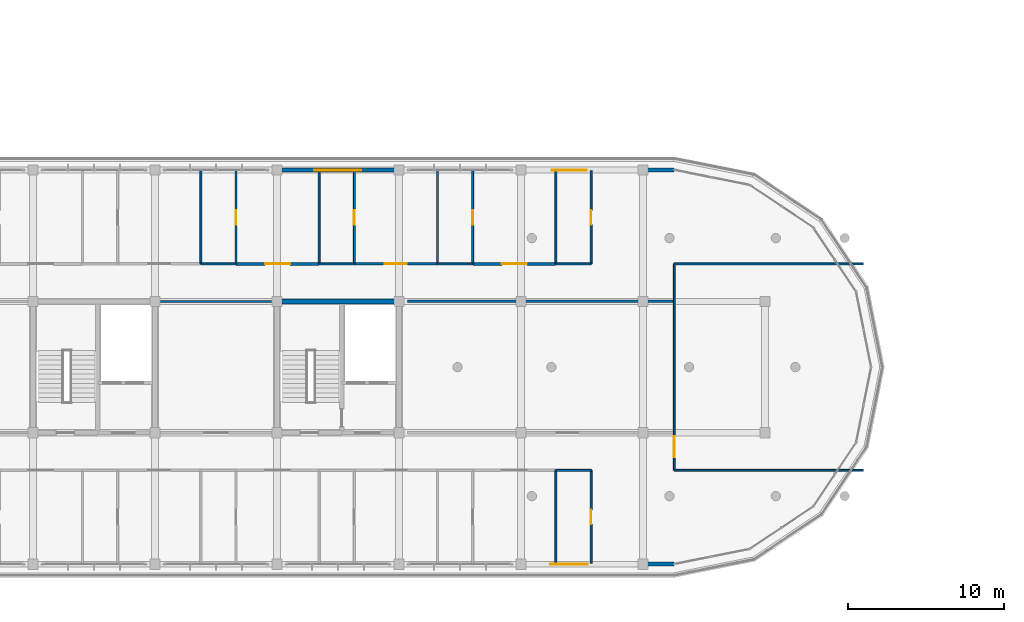
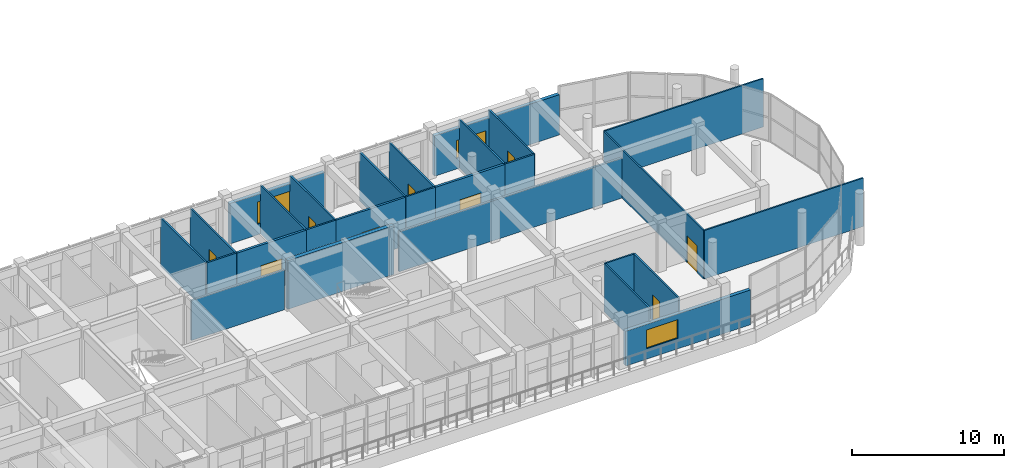
# One storey, part 54 of 63: 27 walls, 9 doors, 3 windows, 12 openings.
"""IFC4 building model written with IfcOpenShell, lengths in metres."""

from ifc_helpers import new_model, si_unit, direction, frame, frame_2d, origin, place, context, subcontext, project, spatial, rectangle, extrude, material, layer, layer_set, type_object, element, fill, save


model = new_model("IFC4")

# Units and contexts
model_context = context("Model", 3, precision=1e-05, world=origin(), true_north=direction((0.0, 1.0)))
body_context = subcontext(model_context, "Body", "Model", "MODEL_VIEW")
ifc_project = project(units=[si_unit("LENGTHUNIT", "METRE"), si_unit("AREAUNIT", "SQUARE_METRE"), si_unit("VOLUMEUNIT", "CUBIC_METRE"), si_unit("PLANEANGLEUNIT", "RADIAN"), si_unit("MASSUNIT", "GRAM", prefix="KILO")], contexts=[model_context])

# Site, building, storey
site_placement = place(None, origin())
site = spatial("IfcSite", under=ifc_project, at=site_placement, CompositionType="ELEMENT")
building_placement = place(site_placement, origin())
building = spatial("IfcBuilding", under=site, at=building_placement, Name="Zizhar Promenade General Hospital", CompositionType="ELEMENT")
storey_placement = place(building_placement, frame((0.0, 0.0, 18.0)))
storey = spatial("IfcBuildingStorey", under=building, at=storey_placement, Name="L04", CompositionType="ELEMENT", Elevation=18.0)

# Wall, opening, window
ifc_material_1 = material(Name="Precast concrete C40/50", Category="concrete")
ifc_layer_1 = layer(ifc_material_1, 0.260009765625)
ifc_layer_set_1 = layer_set([ifc_layer_1], Name="Precast concrete C40/50")
wall_type_1 = type_object("IfcWallType", Name="EW-PC-260", PredefinedType="STANDARD", material=ifc_layer_set_1)
wall_1_placement = place(storey_placement, frame((93.889892578125, 25.199951171875, 0.0), z_axis=(0.0, 0.0, 1.0), x_axis=(1.0, 0.0, 0.0)))
wall_1 = element("IfcWall", 1, at=wall_1_placement, inside=storey, type_object=wall_type_1, Name="Ward Precast Ribbon Pier L04-8-9", PredefinedType="STANDARD", context=body_context, shape_type="SweptSolid", body=[
    extrude(rectangle(XDim=7.22021484375, YDim=0.260009765625, at=frame_2d((3.610107421875, 0.0))), origin(), (0.0, 0.0, 1.0), 3.2548828125),
])
opening_1_placement = place(wall_1_placement, frame((2.110107421875, 0.0, 0.85009765625)))
opening_1 = element("IfcOpeningElement", 2, at=opening_1_placement, cuts=wall_1, Name="Opening W-16", PredefinedType="OPENING", context=body_context, shape_type="SweptSolid", body=[
    extrude(rectangle(XDim=3.0, YDim=1.800048828125, at=frame_2d((1.5, 0.89990234375))), frame((0.0, 0.14013671875, 0.0), z_axis=(0.0, -1.0, 0.0), x_axis=(1.0, 0.0, 0.0)), (0.0, 0.0, 1.0), 0.280029296875),
])
ifc_material_2 = material(Name="Anodised aluminium 6063-T6 and low-E glass", Category="aluminium")
window_type_1 = type_object("IfcWindowType", Name="WIN-LOUNGE-300x180", PartitioningType="TRIPLE_PANEL_VERTICAL", PredefinedType="WINDOW", material=ifc_material_2)
window_1_placement = place(opening_1_placement, origin())
window_1 = element("IfcWindow", 3, at=window_1_placement, inside=storey, type_object=window_type_1, Name="Ward Precast Ribbon Pier L04-8-9 Window 1", OverallHeight=1.800048828125, OverallWidth=3.0, PartitioningType="SINGLE_PANEL", PredefinedType="WINDOW", context=body_context, shape_type="SweptSolid", body=[
    extrude(rectangle(XDim=3.0, YDim=1.800048828125, at=frame_2d((1.5, 0.89990234375))), frame((0.0, 0.030029296875, 0.0), z_axis=(0.0, -1.0, 0.0), x_axis=(1.0, 0.0, 0.0)), (0.0, 0.0, 1.0), 0.06005859375),
])
fill(opening_1, window_1)

wall_2_placement = place(storey_placement, frame((109.489990234375, 25.199951171875, 0.0), z_axis=(0.0, 0.0, 1.0), x_axis=(1.0, 0.0, 0.0)))
wall_2 = element("IfcWall", 4, at=wall_2_placement, inside=storey, type_object=wall_type_1, Name="Ward Precast Ribbon Pier L04-8-11", PredefinedType="STANDARD", context=body_context, shape_type="SweptSolid", body=[
    extrude(rectangle(XDim=9.510009765625, YDim=0.260009765625, at=frame_2d((4.7548828125, 0.0))), origin(), (0.0, 0.0, 1.0), 3.2548828125),
])
opening_2_placement = place(wall_2_placement, frame((1.669921875, 0.0, 0.85009765625)))
opening_2 = element("IfcOpeningElement", 5, at=opening_2_placement, cuts=wall_2, Name="Opening W-28", PredefinedType="OPENING", context=body_context, shape_type="SweptSolid", body=[
    extrude(rectangle(XDim=2.25, YDim=1.449951171875, at=frame_2d((1.125, 0.72509765625))), frame((0.0, 0.14013671875, 0.0), z_axis=(0.0, -1.0, 0.0), x_axis=(1.0, 0.0, 0.0)), (0.0, 0.0, 1.0), 0.280029296875),
])
ifc_material_3 = material(Name="Anodised aluminium 6063-T6 and low-E glass", Category="aluminium")
window_type_2 = type_object("IfcWindowType", Name="WIN-WARD-225x145", PartitioningType="DOUBLE_PANEL_VERTICAL", PredefinedType="WINDOW", material=ifc_material_3)
window_2_placement = place(opening_2_placement, origin())
window_2 = element("IfcWindow", 6, at=window_2_placement, inside=storey, type_object=window_type_2, Name="Ward Precast Ribbon Pier L04-8-11 Window 1", OverallHeight=1.449951171875, OverallWidth=2.25, PartitioningType="SINGLE_PANEL", PredefinedType="WINDOW", context=body_context, shape_type="SweptSolid", body=[
    extrude(rectangle(XDim=2.25, YDim=1.449951171875, at=frame_2d((1.125, 0.72509765625))), frame((0.0, 0.030029296875, 0.0), z_axis=(0.0, -1.0, 0.0), x_axis=(1.0, 0.0, 0.0)), (0.0, 0.0, 1.0), 0.06005859375),
])
fill(opening_2, window_2)

wall_3_placement = place(storey_placement, frame((119.0, 0.0, 0.0), z_axis=(0.0, 0.0, 1.0), x_axis=(-1.0, 0.0, 0.0)))
wall_3 = element("IfcWall", 7, at=wall_3_placement, inside=storey, type_object=wall_type_1, Name="Ward Precast Ribbon Pier L04-17-0", PredefinedType="STANDARD", context=body_context, shape_type="SweptSolid", body=[
    extrude(rectangle(XDim=9.510009765625, YDim=0.260009765625, at=frame_2d((4.7548828125, 0.0))), origin(), (0.0, 0.0, 1.0), 2.804931640625),
])
opening_3_placement = place(wall_3_placement, frame((5.5400390625, 0.0, 0.85009765625)))
opening_3 = element("IfcOpeningElement", 8, at=opening_3_placement, cuts=wall_3, Name="Opening W-01", PredefinedType="OPENING", context=body_context, shape_type="SweptSolid", body=[
    extrude(rectangle(XDim=2.39990234375, YDim=1.5, at=frame_2d((1.199951171875, 0.75))), frame((0.0, 0.14013671875, 0.0), z_axis=(0.0, -1.0, 0.0), x_axis=(1.0, 0.0, 0.0)), (0.0, 0.0, 1.0), 0.280029296875),
])
ifc_material_4 = material(Name="Anodised aluminium 6063-T6 and low-E glass", Category="aluminium")
window_type_3 = type_object("IfcWindowType", Name="WIN-WARD-240x150", PartitioningType="DOUBLE_PANEL_VERTICAL", PredefinedType="WINDOW", material=ifc_material_4)
window_3_placement = place(opening_3_placement, origin())
window_3 = element("IfcWindow", 9, at=window_3_placement, inside=storey, type_object=window_type_3, Name="Ward Precast Ribbon Pier L04-17-0 Window 2", OverallHeight=1.5, OverallWidth=2.39990234375, PartitioningType="SINGLE_PANEL", PredefinedType="WINDOW", context=body_context, shape_type="SweptSolid", body=[
    extrude(rectangle(XDim=2.39990234375, YDim=1.5, at=frame_2d((1.199951171875, 0.75))), frame((0.0, 0.030029296875, 0.0), z_axis=(0.0, -1.0, 0.0), x_axis=(1.0, 0.0, 0.0)), (0.0, 0.0, 1.0), 0.06005859375),
])
fill(opening_3, window_3)

# Wall
ifc_material_5 = material(Name="Clinical consultation partition")
ifc_layer_2 = layer(ifc_material_5, 0.14501953125)
ifc_layer_set_2 = layer_set([ifc_layer_2], Name="Clinical consultation partition")
wall_type_2 = type_object("IfcWallType", Name="IW-CLN-145", PredefinedType="PARTITIONING", material=ifc_layer_set_2)
wall_4_placement = place(storey_placement, frame((86.159912109375, 16.800048828125, 0.0), z_axis=(0.0, 0.0, 1.0), x_axis=(1.0, 0.0, 0.0)))
element("IfcWall", 10, at=wall_4_placement, inside=storey, type_object=wall_type_2, Name="Accessible Visitor Lounge and Clean Utility L04 N Partition", PredefinedType="PARTITIONING", context=body_context, shape_type="SweptSolid", body=[
    extrude(rectangle(XDim=7.080078125, YDim=0.14501953125, at=frame_2d((3.5400390625, 0.0))), origin(), (0.0, 0.0, 1.0), 3.219970703125),
])

# Wall, opening, door
ifc_material_6 = material(Name="Acoustic double-stud clinical partition")
ifc_layer_3 = layer(ifc_material_6, 0.179931640625)
ifc_layer_set_3 = layer_set([ifc_layer_3], Name="Acoustic double-stud clinical partition")
wall_type_3 = type_object("IfcWallType", Name="IW-ICU-180", PredefinedType="PARTITIONING", material=ifc_layer_set_3)
wall_5_placement = place(storey_placement, frame((90.992919921875, 19.199951171875, 0.0), z_axis=(0.0, 0.0, 1.0), x_axis=(1.0, 0.0, 0.0)))
wall_5 = element("IfcWall", 11, at=wall_5_placement, inside=storey, type_object=wall_type_3, Name="Intensive Care Step-Down L04-N09 S Partition", PredefinedType="PARTITIONING", context=body_context, shape_type="SweptSolid", body=[
    extrude(rectangle(XDim=5.297119140625, YDim=0.179931640625, at=frame_2d((2.6484375, 0.0))), origin(), (0.0, 0.0, 1.0), 3.89990234375),
])
opening_4_placement = place(wall_5_placement, frame((1.848388671875, 0.0, 0.0)))
opening_4 = element("IfcOpeningElement", 12, at=opening_4_placement, cuts=wall_5, Name="Opening D-05", PredefinedType="OPENING", context=body_context, shape_type="SweptSolid", body=[
    extrude(rectangle(XDim=1.60009765625, YDim=2.25, at=frame_2d((0.800048828125, 1.125))), frame((0.0, 0.10009765625, 0.0), z_axis=(0.0, -1.0, 0.0), x_axis=(1.0, 0.0, 0.0)), (0.0, 0.0, 1.0), 0.199951171875),
])
ifc_material_7 = material(Name="Anodised aluminium and clinical glass", Category="aluminium")
door_type_1 = type_object("IfcDoorType", Name="DR-ICU-GLZ-160x225", OperationType="SLIDING_TO_RIGHT", PredefinedType="DOOR", material=ifc_material_7)
door_1_placement = place(opening_4_placement, origin())
door_1 = element("IfcDoor", 13, at=door_1_placement, inside=storey, type_object=door_type_1, Name="Intensive Care Step-Down L04-N09 Door", OperationType="SLIDING_TO_RIGHT", OverallHeight=2.25, OverallWidth=1.60009765625, PredefinedType="DOOR", context=body_context, shape_type="SweptSolid", body=[
    extrude(rectangle(XDim=1.60009765625, YDim=2.25, at=frame_2d((0.800048828125, 1.125))), frame((0.0, 0.02490234375, 0.0), z_axis=(0.0, -1.0, 0.0), x_axis=(1.0, 0.0, 0.0)), (0.0, 0.0, 1.0), 0.050048828125),
])
fill(opening_4, door_1)

wall_6_placement = place(storey_placement, frame((106.126953125, 19.199951171875, 0.0), z_axis=(0.0, 0.0, 1.0), x_axis=(1.0, 0.0, 0.0)))
wall_6 = element("IfcWall", 14, at=wall_6_placement, inside=storey, type_object=wall_type_3, Name="Intensive Care Step-Down L04-N11 S Partition", PredefinedType="PARTITIONING", context=body_context, shape_type="SweptSolid", body=[
    extrude(rectangle(XDim=5.296142578125, YDim=0.179931640625, at=frame_2d((2.64794921875, 0.0))), origin(), (0.0, 0.0, 1.0), 3.89990234375),
])
opening_5_placement = place(wall_6_placement, frame((1.847900390625, 0.0, 0.0)))
opening_5 = element("IfcOpeningElement", 15, at=opening_5_placement, cuts=wall_6, Name="Opening D-05", PredefinedType="OPENING", context=body_context, shape_type="SweptSolid", body=[
    extrude(rectangle(XDim=1.60009765625, YDim=2.25, at=frame_2d((0.800048828125, 1.125))), frame((0.0, 0.10009765625, 0.0), z_axis=(0.0, -1.0, 0.0), x_axis=(1.0, 0.0, 0.0)), (0.0, 0.0, 1.0), 0.199951171875),
])
door_2_placement = place(opening_5_placement, origin())
door_2 = element("IfcDoor", 16, at=door_2_placement, inside=storey, type_object=door_type_1, Name="Intensive Care Step-Down L04-N11 Door", OperationType="SLIDING_TO_RIGHT", OverallHeight=2.25, OverallWidth=1.60009765625, PredefinedType="DOOR", context=body_context, shape_type="SweptSolid", body=[
    extrude(rectangle(XDim=1.60009765625, YDim=2.25, at=frame_2d((0.800048828125, 1.125))), frame((0.0, 0.02490234375, 0.0), z_axis=(0.0, -1.0, 0.0), x_axis=(1.0, 0.0, 0.0)), (0.0, 0.0, 1.0), 0.050048828125),
])
fill(opening_5, door_2)

# Walls
ifc_material_8 = material(Name="Clean utility gypsum partition")
ifc_layer_4 = layer(ifc_material_8, 0.114990234375)
ifc_layer_set_4 = layer_set([ifc_layer_4], Name="Clean utility gypsum partition")
wall_type_4 = type_object("IfcWallType", Name="IW-STR-115", PredefinedType="PARTITIONING", material=ifc_layer_set_4)
for number, where, z_axis, x_axis, name in (
    (17, (119.0, 6.0, 0.0), (0.0, 0.0, 1.0), (1.0, 0.0, 0.0), "East Patient Recovery Solarium L04 S Partition"),
    (18, (119.0, 19.199951171875, 0.0), (0.0, 0.0, 1.0), (1.0, 0.0, 0.0), "East Patient Recovery Solarium L04 N Partition"),
):
    element("IfcWall", number, at=place(storey_placement, frame(where, z_axis=z_axis, x_axis=x_axis)), inside=storey, type_object=wall_type_4, Name=name, PredefinedType="PARTITIONING", context=body_context, shape_type="SweptSolid", body=[
        extrude(rectangle(XDim=12.10009765625, YDim=0.114990234375, at=frame_2d((6.050048828125, 0.0))), origin(), (0.0, 0.0, 1.0), 3.89990234375),
    ])

# Wall, opening, door
wall_7_placement = place(storey_placement, frame((119.0, 6.0, 0.0), z_axis=(0.0, 0.0, 1.0), x_axis=(0.0, 1.0, 0.0)))
wall_7 = element("IfcWall", 19, at=wall_7_placement, inside=storey, type_object=wall_type_4, Name="East Patient Recovery Solarium L04 W Partition", PredefinedType="PARTITIONING", context=body_context, shape_type="SweptSolid", body=[
    extrude(rectangle(XDim=13.199951171875, YDim=0.114990234375, at=frame_2d((6.60009765625, 0.0))), origin(), (0.0, 0.0, 1.0), 3.89990234375),
])
opening_6_placement = place(wall_7_placement, frame((0.85009765625, 0.0, 0.0)))
opening_6 = element("IfcOpeningElement", 20, at=opening_6_placement, cuts=wall_7, Name="Opening D-26", PredefinedType="OPENING", context=body_context, shape_type="SweptSolid", body=[
    extrude(rectangle(XDim=1.320068359375, YDim=2.14990234375, at=frame_2d((0.66015625, 1.074951171875))), frame((0.0, 0.0673828125, 0.0), z_axis=(0.0, -1.0, 0.0), x_axis=(1.0, 0.0, 0.0)), (0.0, 0.0, 1.0), 0.135009765625),
])
ifc_material_9 = material(Name="Fire-rated timber store leaf", Category="wood")
door_type_2 = type_object("IfcDoorType", Name="DR-STORE-132x215", OperationType="NOTDEFINED", PredefinedType="DOOR", material=ifc_material_9)
door_3_placement = place(opening_6_placement, origin())
door_3 = element("IfcDoor", 21, at=door_3_placement, inside=storey, type_object=door_type_2, Name="East Patient Recovery Solarium L04 Door", OperationType="SINGLE_SWING_LEFT", OverallHeight=2.14990234375, OverallWidth=1.320068359375, PredefinedType="DOOR", context=body_context, shape_type="SweptSolid", body=[
    extrude(rectangle(XDim=1.320068359375, YDim=2.14990234375, at=frame_2d((0.66015625, 1.074951171875))), frame((0.0, 0.02490234375, 0.0), z_axis=(0.0, -1.0, 0.0), x_axis=(1.0, 0.0, 0.0)), (0.0, 0.0, 1.0), 0.050048828125),
])
fill(opening_6, door_3)

ifc_material_10 = material(Name="Acoustic patient bedroom partition")
ifc_layer_5 = layer(ifc_material_10, 0.155029296875)
ifc_layer_set_5 = layer_set([ifc_layer_5], Name="Acoustic patient bedroom partition")
wall_type_5 = type_object("IfcWallType", Name="IW-WARD-155", PredefinedType="PARTITIONING", material=ifc_layer_set_5)
wall_8_placement = place(storey_placement, frame((98.56005859375, 19.199951171875, 0.0), z_axis=(0.0, 0.0, 1.0), x_axis=(1.0, 0.0, 0.0)))
wall_8 = element("IfcWall", 22, at=wall_8_placement, inside=storey, type_object=wall_type_5, Name="Acute Medical Inpatient Ward L04-N10 S Partition", PredefinedType="PARTITIONING", context=body_context, shape_type="SweptSolid", body=[
    extrude(rectangle(XDim=5.296875, YDim=0.155029296875, at=frame_2d((2.6484375, 0.0))), origin(), (0.0, 0.0, 1.0), 3.89990234375),
])
opening_7_placement = place(wall_8_placement, frame((1.948486328125, 0.0, 0.0)))
opening_7 = element("IfcOpeningElement", 23, at=opening_7_placement, cuts=wall_8, Name="Opening D-06", PredefinedType="OPENING", context=body_context, shape_type="SweptSolid", body=[
    extrude(rectangle(XDim=1.39990234375, YDim=2.199951171875, at=frame_2d((0.699951171875, 1.10009765625))), frame((0.0, 0.08740234375, 0.0), z_axis=(0.0, -1.0, 0.0), x_axis=(1.0, 0.0, 0.0)), (0.0, 0.0, 1.0), 0.175048828125),
])
ifc_material_11 = material(Name="Fire-rated timber hospital bed leaf", Category="wood")
door_type_3 = type_object("IfcDoorType", Name="DR-BED-WARD-140x220", OperationType="NOTDEFINED", PredefinedType="DOOR", material=ifc_material_11)
door_4_placement = place(opening_7_placement, origin())
door_4 = element("IfcDoor", 24, at=door_4_placement, inside=storey, type_object=door_type_3, Name="Acute Medical Inpatient Ward L04-N10 Door", OperationType="SINGLE_SWING_LEFT", OverallHeight=2.199951171875, OverallWidth=1.39990234375, PredefinedType="DOOR", context=body_context, shape_type="SweptSolid", body=[
    extrude(rectangle(XDim=1.39990234375, YDim=2.199951171875, at=frame_2d((0.699951171875, 1.10009765625))), frame((0.0, 0.02490234375, 0.0), z_axis=(0.0, -1.0, 0.0), x_axis=(1.0, 0.0, 0.0)), (0.0, 0.0, 1.0), 0.050048828125),
])
fill(opening_7, door_4)

# Walls
wall_9_placement = place(storey_placement, frame((101.9599609375, 16.800048828125, 0.0), z_axis=(0.0, 0.0, 1.0), x_axis=(1.0, 0.0, 0.0)))
element("IfcWall", 25, at=wall_9_placement, inside=storey, type_object=wall_type_5, Name="Ward Doctor Consultation Office L04 N Partition", PredefinedType="PARTITIONING", context=body_context, shape_type="SweptSolid", body=[
    extrude(rectangle(XDim=17.030029296875, YDim=0.155029296875, at=frame_2d((8.51513671875, 0.0))), origin(), (0.0, 0.0, 1.0), 3.219970703125),
])
ifc_material_12 = material(Name="Moisture-resistant en-suite wet partition")
ifc_layer_6 = layer(ifc_material_12, 0.125)
ifc_layer_set_6 = layer_set([ifc_layer_6], Name="Moisture-resistant en-suite wet partition")
wall_type_6 = type_object("IfcWallType", Name="IW-WET-125", PredefinedType="PARTITIONING", material=ifc_layer_set_6)
wall_10_placement = place(storey_placement, frame((88.7333984375, 19.199951171875, 0.0), z_axis=(0.0, 0.0, 1.0), x_axis=(1.0, 0.0, 0.0)))
element("IfcWall", 26, at=wall_10_placement, inside=storey, type_object=wall_type_6, Name="En-Suite Patient Bathroom L04-N09 S Partition", PredefinedType="PARTITIONING", context=body_context, shape_type="SweptSolid", body=[
    extrude(rectangle(XDim=2.25, YDim=0.125, at=frame_2d((1.125, 0.0))), origin(), (0.0, 0.0, 1.0), 3.89990234375),
])
wall_11_placement = place(storey_placement, frame((88.7333984375, 19.199951171875, 0.0), z_axis=(0.0, 0.0, 1.0), x_axis=(0.0, 1.0, 0.0)))
element("IfcWall", 27, at=wall_11_placement, inside=storey, type_object=wall_type_6, Name="En-Suite Patient Bathroom L04-N09 W Partition", PredefinedType="PARTITIONING", context=body_context, shape_type="SweptSolid", body=[
    extrude(rectangle(XDim=5.955078125, YDim=0.125, at=frame_2d((2.9775390625, 0.0))), origin(), (0.0, 0.0, 1.0), 3.89990234375),
])

# Wall, opening, door
wall_12_placement = place(storey_placement, frame((90.9833984375, 19.199951171875, 0.0), z_axis=(0.0, 0.0, 1.0), x_axis=(0.0, 1.0, 0.0)))
wall_12 = element("IfcWall", 28, at=wall_12_placement, inside=storey, type_object=wall_type_6, Name="En-Suite Patient Bathroom L04-N09 E Partition", PredefinedType="PARTITIONING", context=body_context, shape_type="SweptSolid", body=[
    extrude(rectangle(XDim=5.955078125, YDim=0.125, at=frame_2d((2.9775390625, 0.0))), origin(), (0.0, 0.0, 1.0), 3.89990234375),
])
opening_8_placement = place(wall_12_placement, frame((2.517578125, 0.0, 0.0)))
opening_8 = element("IfcOpeningElement", 29, at=opening_8_placement, cuts=wall_12, Name="Opening D-18", PredefinedType="OPENING", context=body_context, shape_type="SweptSolid", body=[
    extrude(rectangle(XDim=0.919921875, YDim=2.10009765625, at=frame_2d((0.4599609375, 1.050048828125))), frame((0.0, 0.072509765625, 0.0), z_axis=(0.0, -1.0, 0.0), x_axis=(1.0, 0.0, 0.0)), (0.0, 0.0, 1.0), 0.14501953125),
])
ifc_material_13 = material(Name="Moisture-resistant timber en-suite leaf", Category="wood")
door_type_4 = type_object("IfcDoorType", Name="DR-ENS-STD-092x210", OperationType="NOTDEFINED", PredefinedType="DOOR", material=ifc_material_13)
door_5_placement = place(opening_8_placement, origin())
door_5 = element("IfcDoor", 30, at=door_5_placement, inside=storey, type_object=door_type_4, Name="En-Suite Patient Bathroom L04-N09 Door", OperationType="SINGLE_SWING_LEFT", OverallHeight=2.10009765625, OverallWidth=0.919921875, PredefinedType="DOOR", context=body_context, shape_type="SweptSolid", body=[
    extrude(rectangle(XDim=0.919921875, YDim=2.10009765625, at=frame_2d((0.4599609375, 1.050048828125))), frame((0.0, 0.02490234375, 0.0), z_axis=(0.0, -1.0, 0.0), x_axis=(1.0, 0.0, 0.0)), (0.0, 0.0, 1.0), 0.050048828125),
])
fill(opening_8, door_5)

# Walls
wall_13_placement = place(storey_placement, frame((96.300048828125, 19.199951171875, 0.0), z_axis=(0.0, 0.0, 1.0), x_axis=(1.0, 0.0, 0.0)))
element("IfcWall", 31, at=wall_13_placement, inside=storey, type_object=wall_type_6, Name="En-Suite Patient Bathroom L04-N10 S Partition", PredefinedType="PARTITIONING", context=body_context, shape_type="SweptSolid", body=[
    extrude(rectangle(XDim=2.25, YDim=0.125, at=frame_2d((1.125, 0.0))), origin(), (0.0, 0.0, 1.0), 3.89990234375),
])
wall_14_placement = place(storey_placement, frame((96.300048828125, 19.199951171875, 0.0), z_axis=(0.0, 0.0, 1.0), x_axis=(0.0, 1.0, 0.0)))
element("IfcWall", 32, at=wall_14_placement, inside=storey, type_object=wall_type_6, Name="En-Suite Patient Bathroom L04-N10 W Partition", PredefinedType="PARTITIONING", context=body_context, shape_type="SweptSolid", body=[
    extrude(rectangle(XDim=5.955078125, YDim=0.125, at=frame_2d((2.9775390625, 0.0))), origin(), (0.0, 0.0, 1.0), 3.89990234375),
])

# Wall, opening, door
wall_15_placement = place(storey_placement, frame((98.550048828125, 19.199951171875, 0.0), z_axis=(0.0, 0.0, 1.0), x_axis=(0.0, 1.0, 0.0)))
wall_15 = element("IfcWall", 33, at=wall_15_placement, inside=storey, type_object=wall_type_6, Name="En-Suite Patient Bathroom L04-N10 E Partition", PredefinedType="PARTITIONING", context=body_context, shape_type="SweptSolid", body=[
    extrude(rectangle(XDim=5.955078125, YDim=0.125, at=frame_2d((2.9775390625, 0.0))), origin(), (0.0, 0.0, 1.0), 3.89990234375),
])
opening_9_placement = place(wall_15_placement, frame((2.517578125, 0.0, 0.0)))
opening_9 = element("IfcOpeningElement", 34, at=opening_9_placement, cuts=wall_15, Name="Opening D-18", PredefinedType="OPENING", context=body_context, shape_type="SweptSolid", body=[
    extrude(rectangle(XDim=0.919921875, YDim=2.10009765625, at=frame_2d((0.4599609375, 1.050048828125))), frame((0.0, 0.072509765625, 0.0), z_axis=(0.0, -1.0, 0.0), x_axis=(1.0, 0.0, 0.0)), (0.0, 0.0, 1.0), 0.14501953125),
])
door_6_placement = place(opening_9_placement, origin())
door_6 = element("IfcDoor", 35, at=door_6_placement, inside=storey, type_object=door_type_4, Name="En-Suite Patient Bathroom L04-N10 Door", OperationType="SINGLE_SWING_LEFT", OverallHeight=2.10009765625, OverallWidth=0.919921875, PredefinedType="DOOR", context=body_context, shape_type="SweptSolid", body=[
    extrude(rectangle(XDim=0.919921875, YDim=2.10009765625, at=frame_2d((0.4599609375, 1.050048828125))), frame((0.0, 0.02490234375, 0.0), z_axis=(0.0, -1.0, 0.0), x_axis=(1.0, 0.0, 0.0)), (0.0, 0.0, 1.0), 0.050048828125),
])
fill(opening_9, door_6)

# Walls
wall_16_placement = place(storey_placement, frame((103.86669921875, 19.199951171875, 0.0), z_axis=(0.0, 0.0, 1.0), x_axis=(1.0, 0.0, 0.0)))
element("IfcWall", 36, at=wall_16_placement, inside=storey, type_object=wall_type_6, Name="En-Suite Patient Bathroom L04-N11 S Partition", PredefinedType="PARTITIONING", context=body_context, shape_type="SweptSolid", body=[
    extrude(rectangle(XDim=2.25, YDim=0.125, at=frame_2d((1.125, 0.0))), origin(), (0.0, 0.0, 1.0), 3.89990234375),
])
wall_17_placement = place(storey_placement, frame((103.86669921875, 19.199951171875, 0.0), z_axis=(0.0, 0.0, 1.0), x_axis=(0.0, 1.0, 0.0)))
element("IfcWall", 37, at=wall_17_placement, inside=storey, type_object=wall_type_6, Name="En-Suite Patient Bathroom L04-N11 W Partition", PredefinedType="PARTITIONING", context=body_context, shape_type="SweptSolid", body=[
    extrude(rectangle(XDim=5.955078125, YDim=0.125, at=frame_2d((2.9775390625, 0.0))), origin(), (0.0, 0.0, 1.0), 3.89990234375),
])

# Wall, opening, door
wall_18_placement = place(storey_placement, frame((106.11669921875, 19.199951171875, 0.0), z_axis=(0.0, 0.0, 1.0), x_axis=(0.0, 1.0, 0.0)))
wall_18 = element("IfcWall", 38, at=wall_18_placement, inside=storey, type_object=wall_type_6, Name="En-Suite Patient Bathroom L04-N11 E Partition", PredefinedType="PARTITIONING", context=body_context, shape_type="SweptSolid", body=[
    extrude(rectangle(XDim=5.955078125, YDim=0.125, at=frame_2d((2.9775390625, 0.0))), origin(), (0.0, 0.0, 1.0), 3.89990234375),
])
opening_10_placement = place(wall_18_placement, frame((2.517578125, 0.0, 0.0)))
opening_10 = element("IfcOpeningElement", 39, at=opening_10_placement, cuts=wall_18, Name="Opening D-18", PredefinedType="OPENING", context=body_context, shape_type="SweptSolid", body=[
    extrude(rectangle(XDim=0.919921875, YDim=2.10009765625, at=frame_2d((0.4599609375, 1.050048828125))), frame((0.0, 0.072509765625, 0.0), z_axis=(0.0, -1.0, 0.0), x_axis=(1.0, 0.0, 0.0)), (0.0, 0.0, 1.0), 0.14501953125),
])
door_7_placement = place(opening_10_placement, origin())
door_7 = element("IfcDoor", 40, at=door_7_placement, inside=storey, type_object=door_type_4, Name="En-Suite Patient Bathroom L04-N11 Door", OperationType="SINGLE_SWING_LEFT", OverallHeight=2.10009765625, OverallWidth=0.919921875, PredefinedType="DOOR", context=body_context, shape_type="SweptSolid", body=[
    extrude(rectangle(XDim=0.919921875, YDim=2.10009765625, at=frame_2d((0.4599609375, 1.050048828125))), frame((0.0, 0.02490234375, 0.0), z_axis=(0.0, -1.0, 0.0), x_axis=(1.0, 0.0, 0.0)), (0.0, 0.0, 1.0), 0.050048828125),
])
fill(opening_10, door_7)

# Walls
wall_19_placement = place(storey_placement, frame((111.433349609375, 6.0, 0.0), z_axis=(0.0, 0.0, 1.0), x_axis=(1.0, 0.0, 0.0)))
element("IfcWall", 41, at=wall_19_placement, inside=storey, type_object=wall_type_6, Name="En-Suite Patient Bathroom L04-S12 N Partition", PredefinedType="PARTITIONING", context=body_context, shape_type="SweptSolid", body=[
    extrude(rectangle(XDim=2.25, YDim=0.125, at=frame_2d((1.125, 0.0))), origin(), (0.0, 0.0, 1.0), 3.89990234375),
])
wall_20_placement = place(storey_placement, frame((111.433349609375, 0.044921875, 0.0), z_axis=(0.0, 0.0, 1.0), x_axis=(0.0, 1.0, 0.0)))
element("IfcWall", 42, at=wall_20_placement, inside=storey, type_object=wall_type_6, Name="En-Suite Patient Bathroom L04-S12 W Partition", PredefinedType="PARTITIONING", context=body_context, shape_type="SweptSolid", body=[
    extrude(rectangle(XDim=5.955078125, YDim=0.125, at=frame_2d((2.9775390625, 0.0))), origin(), (0.0, 0.0, 1.0), 3.89990234375),
])

# Wall, opening, door
wall_21_placement = place(storey_placement, frame((113.683349609375, 0.044921875, 0.0), z_axis=(0.0, 0.0, 1.0), x_axis=(0.0, 1.0, 0.0)))
wall_21 = element("IfcWall", 43, at=wall_21_placement, inside=storey, type_object=wall_type_6, Name="En-Suite Patient Bathroom L04-S12 E Partition", PredefinedType="PARTITIONING", context=body_context, shape_type="SweptSolid", body=[
    extrude(rectangle(XDim=5.955078125, YDim=0.125, at=frame_2d((2.9775390625, 0.0))), origin(), (0.0, 0.0, 1.0), 3.89990234375),
])
opening_11_placement = place(wall_21_placement, frame((2.517578125, 0.0, 0.0)))
opening_11 = element("IfcOpeningElement", 44, at=opening_11_placement, cuts=wall_21, Name="Opening D-18", PredefinedType="OPENING", context=body_context, shape_type="SweptSolid", body=[
    extrude(rectangle(XDim=0.919921875, YDim=2.10009765625, at=frame_2d((0.4599609375, 1.050048828125))), frame((0.0, 0.072509765625, 0.0), z_axis=(0.0, -1.0, 0.0), x_axis=(1.0, 0.0, 0.0)), (0.0, 0.0, 1.0), 0.14501953125),
])
door_8_placement = place(opening_11_placement, origin())
door_8 = element("IfcDoor", 45, at=door_8_placement, inside=storey, type_object=door_type_4, Name="En-Suite Patient Bathroom L04-S12 Door", OperationType="SINGLE_SWING_RIGHT", OverallHeight=2.10009765625, OverallWidth=0.919921875, PredefinedType="DOOR", context=body_context, shape_type="SweptSolid", body=[
    extrude(rectangle(XDim=0.919921875, YDim=2.10009765625, at=frame_2d((0.4599609375, 1.050048828125))), frame((0.0, 0.02490234375, 0.0), z_axis=(0.0, -1.0, 0.0), x_axis=(1.0, 0.0, 0.0)), (0.0, 0.0, 1.0), 0.050048828125),
])
fill(opening_11, door_8)

# Walls
wall_22_placement = place(storey_placement, frame((111.433349609375, 19.199951171875, 0.0), z_axis=(0.0, 0.0, 1.0), x_axis=(1.0, 0.0, 0.0)))
element("IfcWall", 46, at=wall_22_placement, inside=storey, type_object=wall_type_6, Name="En-Suite Patient Bathroom L04-N12 S Partition", PredefinedType="PARTITIONING", context=body_context, shape_type="SweptSolid", body=[
    extrude(rectangle(XDim=2.25, YDim=0.125, at=frame_2d((1.125, 0.0))), origin(), (0.0, 0.0, 1.0), 3.89990234375),
])
wall_23_placement = place(storey_placement, frame((111.433349609375, 19.199951171875, 0.0), z_axis=(0.0, 0.0, 1.0), x_axis=(0.0, 1.0, 0.0)))
element("IfcWall", 47, at=wall_23_placement, inside=storey, type_object=wall_type_6, Name="En-Suite Patient Bathroom L04-N12 W Partition", PredefinedType="PARTITIONING", context=body_context, shape_type="SweptSolid", body=[
    extrude(rectangle(XDim=5.955078125, YDim=0.125, at=frame_2d((2.9775390625, 0.0))), origin(), (0.0, 0.0, 1.0), 3.89990234375),
])

# Wall, opening, door
wall_24_placement = place(storey_placement, frame((113.683349609375, 19.199951171875, 0.0), z_axis=(0.0, 0.0, 1.0), x_axis=(0.0, 1.0, 0.0)))
wall_24 = element("IfcWall", 48, at=wall_24_placement, inside=storey, type_object=wall_type_6, Name="En-Suite Patient Bathroom L04-N12 E Partition", PredefinedType="PARTITIONING", context=body_context, shape_type="SweptSolid", body=[
    extrude(rectangle(XDim=5.955078125, YDim=0.125, at=frame_2d((2.9775390625, 0.0))), origin(), (0.0, 0.0, 1.0), 3.89990234375),
])
opening_12_placement = place(wall_24_placement, frame((2.517578125, 0.0, 0.0)))
opening_12 = element("IfcOpeningElement", 49, at=opening_12_placement, cuts=wall_24, Name="Opening D-18", PredefinedType="OPENING", context=body_context, shape_type="SweptSolid", body=[
    extrude(rectangle(XDim=0.919921875, YDim=2.10009765625, at=frame_2d((0.4599609375, 1.050048828125))), frame((0.0, 0.072509765625, 0.0), z_axis=(0.0, -1.0, 0.0), x_axis=(1.0, 0.0, 0.0)), (0.0, 0.0, 1.0), 0.14501953125),
])
door_9_placement = place(opening_12_placement, origin())
door_9 = element("IfcDoor", 50, at=door_9_placement, inside=storey, type_object=door_type_4, Name="En-Suite Patient Bathroom L04-N12 Door", OperationType="SINGLE_SWING_LEFT", OverallHeight=2.10009765625, OverallWidth=0.919921875, PredefinedType="DOOR", context=body_context, shape_type="SweptSolid", body=[
    extrude(rectangle(XDim=0.919921875, YDim=2.10009765625, at=frame_2d((0.4599609375, 1.050048828125))), frame((0.0, 0.02490234375, 0.0), z_axis=(0.0, -1.0, 0.0), x_axis=(1.0, 0.0, 0.0)), (0.0, 0.0, 1.0), 0.050048828125),
])
fill(opening_12, door_9)

# Wall
ifc_material_14 = material(Name="Concrete C40/50", Category="concrete")
ifc_layer_7 = layer(ifc_material_14, 0.300048828125)
ifc_layer_set_7 = layer_set([ifc_layer_7], Name="Concrete C40/50")
wall_type_7 = type_object("IfcWallType", Name="WL-CORE-300", PredefinedType="SHEAR", material=ifc_layer_set_7)
wall_25_placement = place(storey_placement, frame((93.449951171875, 16.800048828125, 0.0), z_axis=(0.0, 0.0, 1.0), x_axis=(1.0, 0.0, 0.0)))
element("IfcWall", 51, at=wall_25_placement, inside=storey, type_object=wall_type_7, Name="Core C5 North Shear Wall L04", PredefinedType="SHEAR", context=body_context, shape_type="SweptSolid", body=[
    extrude(rectangle(XDim=8.10009765625, YDim=0.300048828125, at=frame_2d((4.050048828125, 0.0))), origin(), (0.0, 0.0, 1.0), 3.919921875),
])

save(model, "model.ifc")
